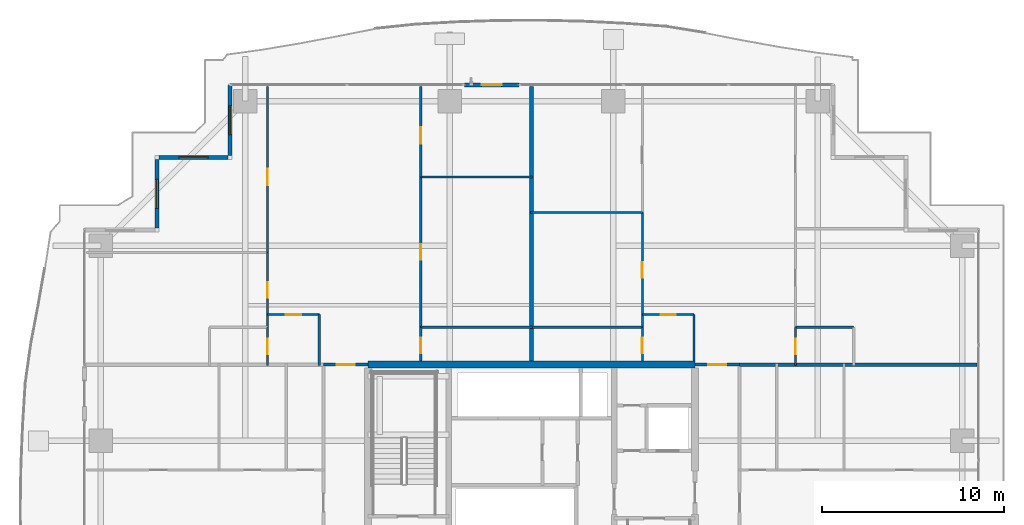
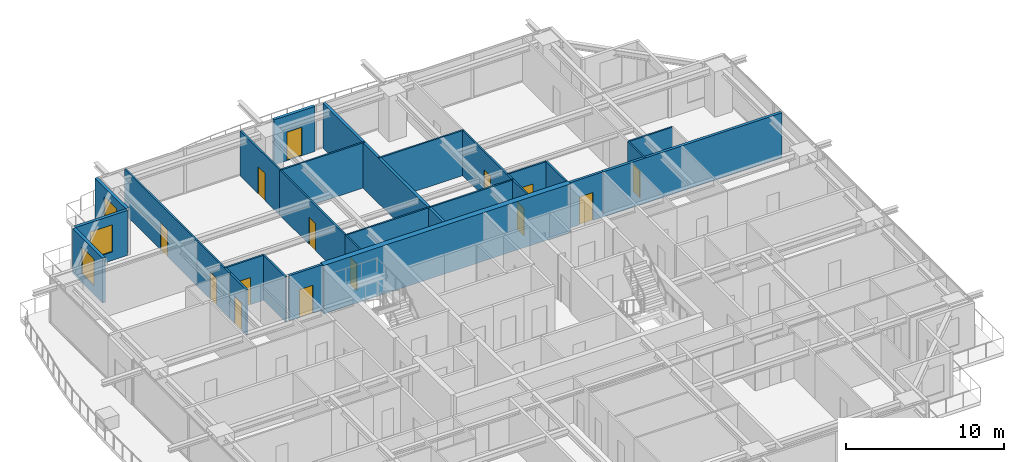
# One storey, part 30 of 39: 27 walls, 14 doors, 3 windows, 17 openings.
"""IFC4 building model written with IfcOpenShell, lengths in metres."""

from ifc_helpers import new_model, si_unit, direction, frame, frame_2d, origin, place, context, subcontext, project, spatial, rectangle, extrude, source, transform, mapped, material, layer, layer_set, type_object, element, fill, save


model = new_model("IFC4")

# Units and contexts
model_context = context("Model", 3, precision=1e-05, world=origin(), true_north=direction((0.0, 1.0)))
body_context = subcontext(model_context, "Body", "Model", "MODEL_VIEW")
ifc_project = project(units=[si_unit("LENGTHUNIT", "METRE"), si_unit("AREAUNIT", "SQUARE_METRE"), si_unit("VOLUMEUNIT", "CUBIC_METRE"), si_unit("PLANEANGLEUNIT", "RADIAN"), si_unit("MASSUNIT", "GRAM", prefix="KILO")], contexts=[model_context])

# Site, building, storey
site_placement = place(None, origin())
site = spatial("IfcSite", under=ifc_project, at=site_placement, CompositionType="ELEMENT")
building_placement = place(site_placement, origin())
building = spatial("IfcBuilding", under=site, at=building_placement, Name="Serunith Strait Residences", CompositionType="ELEMENT")
storey_placement = place(building_placement, frame((0.0, 0.0, 123.89990234375)))
storey = spatial("IfcBuildingStorey", under=building, at=storey_placement, Name="L30", CompositionType="ELEMENT", Elevation=123.89990234375)

# Wall, opening, door
ifc_material_1 = material(Name="Pale-Champagne Aluminium Insulated Panel", Category="aluminium")
ifc_layer_1 = layer(ifc_material_1, 0.219970703125, Name="Pale-Champagne Aluminium Insulated Panel")
ifc_layer_set_1 = layer_set([ifc_layer_1], Name="Pale-Champagne Aluminium Insulated Panel")
wall_type_1 = type_object("IfcWallType", Name="EW-ALUM-220", PredefinedType="ELEMENTEDWALL", material=ifc_layer_set_1)
wall_1_placement = place(storey_placement, frame((31.699951171875, 49.0, 0.0), z_axis=(0.0, 0.0, 1.0), x_axis=(-1.0, 0.0, 0.0)))
wall_1 = element("IfcWall", 1, at=wall_1_placement, inside=storey, type_object=wall_type_1, Name="L30 N Facade Pier Wall", PredefinedType="ELEMENTEDWALL", context=body_context, shape_type="SweptSolid", body=[
    extrude(rectangle(XDim=3.0, YDim=0.219970703125, at=frame_2d((1.5, 0.0))), origin(), (0.0, 0.0, 1.0), 3.47509765625),
])
opening_1_placement = place(wall_1_placement, frame((0.949951171875, 0.0, 0.0)))
opening_1 = element("IfcOpeningElement", 2, at=opening_1_placement, cuts=wall_1, Name="Opening ED-03", PredefinedType="OPENING", context=body_context, shape_type="SweptSolid", body=[
    extrude(rectangle(XDim=1.10009765625, YDim=2.199951171875, at=frame_2d((0.550048828125, 1.10009765625))), frame((0.0, 0.1201171875, 0.0), z_axis=(0.0, -1.0, 0.0), x_axis=(1.0, 0.0, 0.0)), (0.0, 0.0, 1.0), 0.239990234375),
])
ifc_material_2 = material(Name="Thermally-Broken Aluminium Glazed Balcony Door", Category="aluminium")
door_type_1 = type_object("IfcDoorType", Name="ED-BALC-1100", OperationType="NOTDEFINED", PredefinedType="DOOR", material=ifc_material_2)
shared_shape_1 = source(origin(), body_context, "Body", "SweptSolid", [
    extrude(rectangle(XDim=1.10009765625, YDim=2.199951171875, at=frame_2d((0.550048828125, 1.10009765625))), frame((0.0, 0.02490234375, 0.0), z_axis=(0.0, -1.0, 0.0), x_axis=(1.0, 0.0, 0.0)), (0.0, 0.0, 1.0), 0.050048828125),
])
door_1_placement = place(opening_1_placement, origin())
door_1 = element("IfcDoor", 3, at=door_1_placement, inside=storey, type_object=door_type_1, Name="L30 N Vertical-Forest Balcony Door", OperationType="SINGLE_SWING_RIGHT", OverallHeight=2.199951171875, OverallWidth=1.10009765625, PredefinedType="DOOR", context=body_context, shape_type="MappedRepresentation", body=[
    mapped(shared_shape_1, transform((0.0, 0.0, 0.0), scale=1.0)),
])
fill(opening_1, door_1)

# Wall, opening, window
wall_2_placement = place(storey_placement, frame((15.800048828125, 49.0, 0.0), z_axis=(0.0, 0.0, 1.0), x_axis=(0.0, -1.0, 0.0)))
wall_2 = element("IfcWall", 4, at=wall_2_placement, inside=storey, type_object=wall_type_1, Name="L30 Girih Serrated Corner Wall 12", PredefinedType="ELEMENTEDWALL", context=body_context, shape_type="SweptSolid", body=[
    extrude(rectangle(XDim=3.889892578125, YDim=0.219970703125, at=frame_2d((1.94482421875, 0.0))), origin(), (0.0, 0.0, 1.0), 3.47509765625),
])
opening_2_placement = place(wall_2_placement, frame((1.14501953125, 0.0, 0.64990234375)))
opening_2 = element("IfcOpeningElement", 5, at=opening_2_placement, cuts=wall_2, Name="Opening W-02", PredefinedType="OPENING", context=body_context, shape_type="SweptSolid", body=[
    extrude(rectangle(XDim=1.60009765625, YDim=2.10009765625, at=frame_2d((0.800048828125, 1.050048828125))), frame((0.0, 0.1201171875, 0.0), z_axis=(0.0, -1.0, 0.0), x_axis=(1.0, 0.0, 0.0)), (0.0, 0.0, 1.0), 0.239990234375),
])
ifc_material_3 = material(Name="Ceramic-Fritted Operable Aluminium Window Glass", Category="aluminium")
window_type = type_object("IfcWindowType", Name="WIN-C2", PartitioningType="DOUBLE_PANEL_VERTICAL", PredefinedType="WINDOW", material=ifc_material_3)
shared_shape_2 = source(origin(), body_context, "Body", "SweptSolid", [
    extrude(rectangle(XDim=1.60009765625, YDim=2.10009765625, at=frame_2d((0.800048828125, 1.050048828125))), frame((0.0, 0.030029296875, 0.0), z_axis=(0.0, -1.0, 0.0), x_axis=(1.0, 0.0, 0.0)), (0.0, 0.0, 1.0), 0.06005859375),
])
window_1_placement = place(opening_2_placement, origin())
window_1 = element("IfcWindow", 6, at=window_1_placement, inside=storey, type_object=window_type, Name="L30 Corner Operable Fritted Window 12", OverallHeight=2.10009765625, OverallWidth=1.60009765625, PartitioningType="SINGLE_PANEL", PredefinedType="WINDOW", context=body_context, shape_type="MappedRepresentation", body=[
    mapped(shared_shape_2, transform((0.0, 0.0, 0.0), scale=1.0)),
])
fill(opening_2, window_1)

wall_3_placement = place(storey_placement, frame((15.68994140625, 45.0, 0.0), z_axis=(0.0, 0.0, 1.0), x_axis=(-1.0, 0.0, 0.0)))
wall_3 = element("IfcWall", 7, at=wall_3_placement, inside=storey, type_object=wall_type_1, Name="L30 Girih Serrated Corner Wall 13", PredefinedType="ELEMENTEDWALL", context=body_context, shape_type="SweptSolid", body=[
    extrude(rectangle(XDim=3.780029296875, YDim=0.219970703125, at=frame_2d((1.89013671875, 0.0))), origin(), (0.0, 0.0, 1.0), 3.47509765625),
])
opening_3_placement = place(wall_3_placement, frame((1.090087890625, 0.0, 0.64990234375)))
opening_3 = element("IfcOpeningElement", 8, at=opening_3_placement, cuts=wall_3, Name="Opening W-02", PredefinedType="OPENING", context=body_context, shape_type="SweptSolid", body=[
    extrude(rectangle(XDim=1.60009765625, YDim=2.10009765625, at=frame_2d((0.800048828125, 1.050048828125))), frame((0.0, 0.1201171875, 0.0), z_axis=(0.0, -1.0, 0.0), x_axis=(1.0, 0.0, 0.0)), (0.0, 0.0, 1.0), 0.239990234375),
])
window_2_placement = place(opening_3_placement, origin())
window_2 = element("IfcWindow", 9, at=window_2_placement, inside=storey, type_object=window_type, Name="L30 Corner Operable Fritted Window 13", OverallHeight=2.10009765625, OverallWidth=1.60009765625, PartitioningType="SINGLE_PANEL", PredefinedType="WINDOW", context=body_context, shape_type="MappedRepresentation", body=[
    mapped(shared_shape_2, transform((0.0, 0.0, 0.0), scale=1.0)),
])
fill(opening_3, window_2)

wall_4_placement = place(storey_placement, frame((11.800048828125, 44.889892578125, 0.0), z_axis=(0.0, 0.0, 1.0), x_axis=(0.0, -1.0, 0.0)))
wall_4 = element("IfcWall", 10, at=wall_4_placement, inside=storey, type_object=wall_type_1, Name="L30 Girih Serrated Corner Wall 14", PredefinedType="ELEMENTEDWALL", context=body_context, shape_type="SweptSolid", body=[
    extrude(rectangle(XDim=3.77978515625, YDim=0.219970703125, at=frame_2d((1.889892578125, 0.0))), origin(), (0.0, 0.0, 1.0), 3.47509765625),
])
opening_4_placement = place(wall_4_placement, frame((1.090087890625, 0.0, 0.64990234375)))
opening_4 = element("IfcOpeningElement", 11, at=opening_4_placement, cuts=wall_4, Name="Opening W-02", PredefinedType="OPENING", context=body_context, shape_type="SweptSolid", body=[
    extrude(rectangle(XDim=1.60009765625, YDim=2.10009765625, at=frame_2d((0.800048828125, 1.050048828125))), frame((0.0, 0.1201171875, 0.0), z_axis=(0.0, -1.0, 0.0), x_axis=(1.0, 0.0, 0.0)), (0.0, 0.0, 1.0), 0.239990234375),
])
window_3_placement = place(opening_4_placement, origin())
window_3 = element("IfcWindow", 12, at=window_3_placement, inside=storey, type_object=window_type, Name="L30 Corner Operable Fritted Window 14", OverallHeight=2.10009765625, OverallWidth=1.60009765625, PartitioningType="SINGLE_PANEL", PredefinedType="WINDOW", context=body_context, shape_type="MappedRepresentation", body=[
    mapped(shared_shape_2, transform((0.0, 0.0, 0.0), scale=1.0)),
])
fill(opening_4, window_3)

# Wall, opening, door
ifc_material_4 = material(Name="Fire-rated acoustic gypsum partition")
ifc_layer_2 = layer(ifc_material_4, 0.179931640625, Name="Fire-rated acoustic gypsum partition")
ifc_layer_set_2 = layer_set([ifc_layer_2], Name="Fire-rated acoustic gypsum partition")
wall_type_2 = type_object("IfcWallType", Name="IW-CORR-180", PredefinedType="PARTITIONING", material=ifc_layer_set_2)
wall_5_placement = place(storey_placement, frame((20.951904296875, 33.60009765625, 0.0), z_axis=(0.0, 0.0, 1.0), x_axis=(1.0, 0.0, 0.0)))
wall_5 = element("IfcWall", 13, at=wall_5_placement, inside=storey, type_object=wall_type_2, Name="L30 Partition Wall 030", PredefinedType="PARTITIONING", context=body_context, shape_type="SweptSolid", body=[
    extrude(rectangle(XDim=2.446044921875, YDim=0.179931640625, at=frame_2d((1.22314453125, 0.0))), origin(), (0.0, 0.0, 1.0), 3.489990234375),
])
opening_5_placement = place(wall_5_placement, frame((0.722900390625, 0.0, 0.0)))
opening_5 = element("IfcOpeningElement", 14, at=opening_5_placement, cuts=wall_5, Name="Opening D-APT1000", PredefinedType="OPENING", context=body_context, shape_type="SweptSolid", body=[
    extrude(rectangle(XDim=1.0, YDim=2.14990234375, at=frame_2d((0.5, 1.074951171875))), frame((0.0, 0.10009765625, 0.0), z_axis=(0.0, -1.0, 0.0), x_axis=(1.0, 0.0, 0.0)), (0.0, 0.0, 1.0), 0.199951171875),
])
ifc_material_5 = material(Name="Solid timber engineered fire door", Category="wood")
door_type_2 = type_object("IfcDoorType", Name="ID-APT-1000", OperationType="NOTDEFINED", PredefinedType="DOOR", material=ifc_material_5)
shared_shape_3 = source(origin(), body_context, "Body", "SweptSolid", [
    extrude(rectangle(XDim=1.0, YDim=2.14990234375, at=frame_2d((0.5, 1.074951171875))), frame((0.0, 0.02490234375, 0.0), z_axis=(0.0, -1.0, 0.0), x_axis=(1.0, 0.0, 0.0)), (0.0, 0.0, 1.0), 0.050048828125),
])
door_2_placement = place(opening_5_placement, origin())
door_2 = element("IfcDoor", 15, at=door_2_placement, inside=storey, type_object=door_type_2, Name="L30 Unit 04 Entrance Door", OperationType="SINGLE_SWING_LEFT", OverallHeight=2.14990234375, OverallWidth=1.0, PredefinedType="DOOR", context=body_context, shape_type="MappedRepresentation", body=[
    mapped(shared_shape_3, transform((0.0, 0.0, 0.0), scale=1.0)),
])
fill(opening_5, door_2)

wall_6_placement = place(storey_placement, frame((41.402099609375, 33.60009765625, 0.0), z_axis=(0.0, 0.0, 1.0), x_axis=(1.0, 0.0, 0.0)))
wall_6 = element("IfcWall", 16, at=wall_6_placement, inside=storey, type_object=wall_type_2, Name="L30 Partition Wall 031", PredefinedType="PARTITIONING", context=body_context, shape_type="SweptSolid", body=[
    extrude(rectangle(XDim=2.44580078125, YDim=0.179931640625, at=frame_2d((1.222900390625, 0.0))), origin(), (0.0, 0.0, 1.0), 3.489990234375),
])
opening_6_placement = place(wall_6_placement, frame((0.722900390625, 0.0, 0.0)))
opening_6 = element("IfcOpeningElement", 17, at=opening_6_placement, cuts=wall_6, Name="Opening D-APT1000", PredefinedType="OPENING", context=body_context, shape_type="SweptSolid", body=[
    extrude(rectangle(XDim=1.0, YDim=2.14990234375, at=frame_2d((0.5, 1.074951171875))), frame((0.0, 0.10009765625, 0.0), z_axis=(0.0, -1.0, 0.0), x_axis=(1.0, 0.0, 0.0)), (0.0, 0.0, 1.0), 0.199951171875),
])
door_3_placement = place(opening_6_placement, origin())
door_3 = element("IfcDoor", 18, at=door_3_placement, inside=storey, type_object=door_type_2, Name="L30 Unit 05 Entrance Door", OperationType="SINGLE_SWING_RIGHT", OverallHeight=2.14990234375, OverallWidth=1.0, PredefinedType="DOOR", context=body_context, shape_type="MappedRepresentation", body=[
    mapped(shared_shape_3, transform((0.0, 0.0, 0.0), scale=1.0)),
])
fill(opening_6, door_3)

ifc_material_6 = material(Name="Lightweight steel-stud gypsum partition", Category="steel")
ifc_layer_3 = layer(ifc_material_6, 0.1201171875, Name="Lightweight steel-stud gypsum partition")
ifc_layer_set_3 = layer_set([ifc_layer_3], Name="Lightweight steel-stud gypsum partition")
wall_type_3 = type_object("IfcWallType", Name="IW-PART-120", PredefinedType="PARTITIONING", material=ifc_layer_set_3)
wall_7_placement = place(storey_placement, frame((17.8701171875, 36.35009765625, 0.0), z_axis=(0.0, 0.0, 1.0), x_axis=(1.0, 0.0, 0.0)))
wall_7 = element("IfcWall", 19, at=wall_7_placement, inside=storey, type_object=wall_type_3, Name="L30 Partition Wall 069", PredefinedType="PARTITIONING", context=body_context, shape_type="SweptSolid", body=[
    extrude(rectangle(XDim=2.849853515625, YDim=0.1201171875, at=frame_2d((1.4248046875, 0.0))), origin(), (0.0, 0.0, 1.0), 3.489990234375),
])
opening_7_placement = place(wall_7_placement, frame((1.0, 0.0, 0.0)))
opening_7 = element("IfcOpeningElement", 20, at=opening_7_placement, cuts=wall_7, Name="Opening D-RM850", PredefinedType="OPENING", context=body_context, shape_type="SweptSolid", body=[
    extrude(rectangle(XDim=0.85009765625, YDim=2.10009765625, at=frame_2d((0.425048828125, 1.050048828125))), frame((0.0, 0.070068359375, 0.0), z_axis=(0.0, -1.0, 0.0), x_axis=(1.0, 0.0, 0.0)), (0.0, 0.0, 1.0), 0.14013671875),
])
ifc_material_7 = material(Name="Engineered timber flush study and kitchen door", Category="wood")
door_type_3 = type_object("IfcDoorType", Name="ID-ROOM-850", OperationType="NOTDEFINED", PredefinedType="DOOR", material=ifc_material_7)
shared_shape_4 = source(origin(), body_context, "Body", "SweptSolid", [
    extrude(rectangle(XDim=0.85009765625, YDim=2.10009765625, at=frame_2d((0.425048828125, 1.050048828125))), frame((0.0, 0.02490234375, 0.0), z_axis=(0.0, -1.0, 0.0), x_axis=(1.0, 0.0, 0.0)), (0.0, 0.0, 1.0), 0.050048828125),
])
door_4_placement = place(opening_7_placement, origin())
door_4 = element("IfcDoor", 21, at=door_4_placement, inside=storey, type_object=door_type_3, Name="L30 Kitchen 3004 Door", OperationType="SINGLE_SWING_LEFT", OverallHeight=2.10009765625, OverallWidth=0.85009765625, PredefinedType="DOOR", context=body_context, shape_type="MappedRepresentation", body=[
    mapped(shared_shape_4, transform((0.0, 0.0, 0.0), scale=1.0)),
])
fill(opening_7, door_4)

# Wall
wall_8_placement = place(storey_placement, frame((20.719970703125, 36.35009765625, 0.0), z_axis=(0.0, 0.0, 1.0), x_axis=(0.0, -1.0, 0.0)))
element("IfcWall", 22, at=wall_8_placement, inside=storey, type_object=wall_type_3, Name="L30 Partition Wall 070", PredefinedType="PARTITIONING", context=body_context, shape_type="SweptSolid", body=[
    extrude(rectangle(XDim=2.81005859375, YDim=0.1201171875, at=frame_2d((1.405029296875, 0.0))), origin(), (0.0, 0.0, 1.0), 3.489990234375),
])

# Wall, opening, door
wall_9_placement = place(storey_placement, frame((17.8701171875, 48.905029296875, 0.0), z_axis=(0.0, 0.0, 1.0), x_axis=(0.0, -1.0, 0.0)))
wall_9 = element("IfcWall", 23, at=wall_9_placement, inside=storey, type_object=wall_type_3, Name="L30 Partition Wall 071", PredefinedType="PARTITIONING", context=body_context, shape_type="SweptSolid", body=[
    extrude(rectangle(XDim=9.14013671875, YDim=0.1201171875, at=frame_2d((4.570068359375, 0.0))), origin(), (0.0, 0.0, 1.0), 3.489990234375),
])
opening_8_placement = place(wall_9_placement, frame((4.531982421875, 0.0, 0.0)))
opening_8 = element("IfcOpeningElement", 24, at=opening_8_placement, cuts=wall_9, Name="Opening D-RM900", PredefinedType="OPENING", context=body_context, shape_type="SweptSolid", body=[
    extrude(rectangle(XDim=0.89990234375, YDim=2.10009765625, at=frame_2d((0.449951171875, 1.050048828125))), frame((0.0, 0.070068359375, 0.0), z_axis=(0.0, -1.0, 0.0), x_axis=(1.0, 0.0, 0.0)), (0.0, 0.0, 1.0), 0.14013671875),
])
ifc_material_8 = material(Name="Engineered timber flush bedroom door", Category="wood")
door_type_4 = type_object("IfcDoorType", Name="ID-ROOM-900", OperationType="NOTDEFINED", PredefinedType="DOOR", material=ifc_material_8)
shared_shape_5 = source(origin(), body_context, "Body", "SweptSolid", [
    extrude(rectangle(XDim=0.89990234375, YDim=2.10009765625, at=frame_2d((0.449951171875, 1.050048828125))), frame((0.0, 0.02490234375, 0.0), z_axis=(0.0, -1.0, 0.0), x_axis=(1.0, 0.0, 0.0)), (0.0, 0.0, 1.0), 0.050048828125),
])
door_5_placement = place(opening_8_placement, origin())
door_5 = element("IfcDoor", 25, at=door_5_placement, inside=storey, type_object=door_type_4, Name="L30 Master Bedroom 1 3004 Door", OperationType="SINGLE_SWING_RIGHT", OverallHeight=2.10009765625, OverallWidth=0.89990234375, PredefinedType="DOOR", context=body_context, shape_type="MappedRepresentation", body=[
    mapped(shared_shape_5, transform((0.0, 0.0, 0.0), scale=1.0)),
])
fill(opening_8, door_5)

wall_10_placement = place(storey_placement, frame((17.8701171875, 39.762939453125, 0.0), z_axis=(0.0, 0.0, 1.0), x_axis=(0.0, -1.0, 0.0)))
wall_10 = element("IfcWall", 26, at=wall_10_placement, inside=storey, type_object=wall_type_3, Name="L30 Partition Wall 075", PredefinedType="PARTITIONING", context=body_context, shape_type="SweptSolid", body=[
    extrude(rectangle(XDim=4.113037109375, YDim=0.1201171875, at=frame_2d((2.056640625, 0.0))), origin(), (0.0, 0.0, 1.0), 3.489990234375),
])
opening_9_placement = place(wall_10_placement, frame((1.631103515625, 0.0, 0.0)))
opening_9 = element("IfcOpeningElement", 27, at=opening_9_placement, cuts=wall_10, Name="Opening D-RM850", PredefinedType="OPENING", context=body_context, shape_type="SweptSolid", body=[
    extrude(rectangle(XDim=0.85009765625, YDim=2.10009765625, at=frame_2d((0.425048828125, 1.050048828125))), frame((0.0, 0.070068359375, 0.0), z_axis=(0.0, -1.0, 0.0), x_axis=(1.0, 0.0, 0.0)), (0.0, 0.0, 1.0), 0.14013671875),
])
door_6_placement = place(opening_9_placement, origin())
door_6 = element("IfcDoor", 28, at=door_6_placement, inside=storey, type_object=door_type_3, Name="L30 Walk-in Wardrobe 3004 Door", OperationType="SINGLE_SWING_LEFT", OverallHeight=2.10009765625, OverallWidth=0.85009765625, PredefinedType="DOOR", context=body_context, shape_type="MappedRepresentation", body=[
    mapped(shared_shape_4, transform((0.0, 0.0, 0.0), scale=1.0)),
])
fill(opening_9, door_6)

wall_11_placement = place(storey_placement, frame((17.8701171875, 35.64794921875, 0.0), z_axis=(0.0, 0.0, 1.0), x_axis=(0.0, -1.0, 0.0)))
wall_11 = element("IfcWall", 29, at=wall_11_placement, inside=storey, type_object=wall_type_3, Name="L30 Partition Wall 076", PredefinedType="PARTITIONING", context=body_context, shape_type="SweptSolid", body=[
    extrude(rectangle(XDim=2.10791015625, YDim=0.1201171875, at=frame_2d((1.053955078125, 0.0))), origin(), (0.0, 0.0, 1.0), 3.489990234375),
])
opening_10_placement = place(wall_11_placement, frame((0.62890625, 0.0, 0.0)))
opening_10 = element("IfcOpeningElement", 30, at=opening_10_placement, cuts=wall_11, Name="Opening D-BTH850", PredefinedType="OPENING", context=body_context, shape_type="SweptSolid", body=[
    extrude(rectangle(XDim=0.85009765625, YDim=2.10009765625, at=frame_2d((0.425048828125, 1.050048828125))), frame((0.0, 0.070068359375, 0.0), z_axis=(0.0, -1.0, 0.0), x_axis=(1.0, 0.0, 0.0)), (0.0, 0.0, 1.0), 0.14013671875),
])
ifc_material_9 = material(Name="Moisture-resistant timber bathroom door", Category="wood")
door_type_5 = type_object("IfcDoorType", Name="ID-BATH-850", OperationType="NOTDEFINED", PredefinedType="DOOR", material=ifc_material_9)
door_7_placement = place(opening_10_placement, origin())
door_7 = element("IfcDoor", 31, at=door_7_placement, inside=storey, type_object=door_type_5, Name="L30 Bathroom 3004 Door", OperationType="SINGLE_SWING_RIGHT", OverallHeight=2.10009765625, OverallWidth=0.85009765625, PredefinedType="DOOR", context=body_context, shape_type="MappedRepresentation", body=[
    mapped(shared_shape_4, transform((0.0, 0.0, 0.0), scale=1.0)),
])
fill(opening_10, door_7)

wall_12_placement = place(storey_placement, frame((26.300048828125, 48.905029296875, 0.0), z_axis=(0.0, 0.0, 1.0), x_axis=(0.0, -1.0, 0.0)))
wall_12 = element("IfcWall", 32, at=wall_12_placement, inside=storey, type_object=wall_type_3, Name="L30 Partition Wall 077", PredefinedType="PARTITIONING", context=body_context, shape_type="SweptSolid", body=[
    extrude(rectangle(XDim=4.97607421875, YDim=0.1201171875, at=frame_2d((2.488037109375, 0.0))), origin(), (0.0, 0.0, 1.0), 3.489990234375),
])
opening_11_placement = place(wall_12_placement, frame((2.241943359375, 0.0, 0.0)))
opening_11 = element("IfcOpeningElement", 33, at=opening_11_placement, cuts=wall_12, Name="Opening D-RM900", PredefinedType="OPENING", context=body_context, shape_type="SweptSolid", body=[
    extrude(rectangle(XDim=0.89990234375, YDim=2.10009765625, at=frame_2d((0.449951171875, 1.050048828125))), frame((0.0, 0.070068359375, 0.0), z_axis=(0.0, -1.0, 0.0), x_axis=(1.0, 0.0, 0.0)), (0.0, 0.0, 1.0), 0.14013671875),
])
door_8_placement = place(opening_11_placement, origin())
door_8 = element("IfcDoor", 34, at=door_8_placement, inside=storey, type_object=door_type_4, Name="L30 Bedroom 2 3004 Door", OperationType="SINGLE_SWING_LEFT", OverallHeight=2.10009765625, OverallWidth=0.89990234375, PredefinedType="DOOR", context=body_context, shape_type="MappedRepresentation", body=[
    mapped(shared_shape_5, transform((0.0, 0.0, 0.0), scale=1.0)),
])
fill(opening_11, door_8)

# Walls
for number, where, z_axis, x_axis, name in (
    (35, (26.300048828125, 43.928955078125, 0.0), (0.0, 0.0, 1.0), (1.0, 0.0, 0.0), "L30 Partition Wall 078"),
    (36, (26.300048828125, 35.64990234375, 0.0), (0.0, 0.0, 1.0), (1.0, 0.0, 0.0), "L30 Partition Wall 079"),
):
    element("IfcWall", number, at=place(storey_placement, frame(where, z_axis=z_axis, x_axis=x_axis)), inside=storey, type_object=wall_type_3, Name=name, PredefinedType="PARTITIONING", context=body_context, shape_type="SweptSolid", body=[
        extrude(rectangle(XDim=6.159912109375, YDim=0.1201171875, at=frame_2d((3.080078125, 0.0))), origin(), (0.0, 0.0, 1.0), 3.489990234375),
    ])

# Wall, opening, door
wall_13_placement = place(storey_placement, frame((26.300048828125, 43.927001953125, 0.0), z_axis=(0.0, 0.0, 1.0), x_axis=(0.0, -1.0, 0.0)))
wall_13 = element("IfcWall", 37, at=wall_13_placement, inside=storey, type_object=wall_type_3, Name="L30 Partition Wall 080", PredefinedType="PARTITIONING", context=body_context, shape_type="SweptSolid", body=[
    extrude(rectangle(XDim=8.277099609375, YDim=0.1201171875, at=frame_2d((4.138671875, 0.0))), origin(), (0.0, 0.0, 1.0), 3.489990234375),
])
opening_12_placement = place(wall_13_placement, frame((3.714111328125, 0.0, 0.0)))
opening_12 = element("IfcOpeningElement", 38, at=opening_12_placement, cuts=wall_13, Name="Opening D-RM850", PredefinedType="OPENING", context=body_context, shape_type="SweptSolid", body=[
    extrude(rectangle(XDim=0.85009765625, YDim=2.10009765625, at=frame_2d((0.425048828125, 1.050048828125))), frame((0.0, 0.070068359375, 0.0), z_axis=(0.0, -1.0, 0.0), x_axis=(1.0, 0.0, 0.0)), (0.0, 0.0, 1.0), 0.14013671875),
])
door_9_placement = place(opening_12_placement, origin())
door_9 = element("IfcDoor", 39, at=door_9_placement, inside=storey, type_object=door_type_3, Name="L30 Walk-in Wardrobe 3004 Door", OperationType="SINGLE_SWING_RIGHT", OverallHeight=2.10009765625, OverallWidth=0.85009765625, PredefinedType="DOOR", context=body_context, shape_type="MappedRepresentation", body=[
    mapped(shared_shape_4, transform((0.0, 0.0, 0.0), scale=1.0)),
])
fill(opening_12, door_9)

wall_14_placement = place(storey_placement, frame((26.300048828125, 35.64794921875, 0.0), z_axis=(0.0, 0.0, 1.0), x_axis=(0.0, -1.0, 0.0)))
wall_14 = element("IfcWall", 40, at=wall_14_placement, inside=storey, type_object=wall_type_3, Name="L30 Partition Wall 081", PredefinedType="PARTITIONING", context=body_context, shape_type="SweptSolid", body=[
    extrude(rectangle(XDim=1.847900390625, YDim=0.1201171875, at=frame_2d((0.923828125, 0.0))), origin(), (0.0, 0.0, 1.0), 3.489990234375),
])
opening_13_placement = place(wall_14_placement, frame((0.569091796875, 0.0, 0.0)))
opening_13 = element("IfcOpeningElement", 41, at=opening_13_placement, cuts=wall_14, Name="Opening D-BTH850", PredefinedType="OPENING", context=body_context, shape_type="SweptSolid", body=[
    extrude(rectangle(XDim=0.85009765625, YDim=2.10009765625, at=frame_2d((0.425048828125, 1.050048828125))), frame((0.0, 0.070068359375, 0.0), z_axis=(0.0, -1.0, 0.0), x_axis=(1.0, 0.0, 0.0)), (0.0, 0.0, 1.0), 0.14013671875),
])
door_10_placement = place(opening_13_placement, origin())
door_10 = element("IfcDoor", 42, at=door_10_placement, inside=storey, type_object=door_type_5, Name="L30 Bathroom 3004 Door", OperationType="SINGLE_SWING_LEFT", OverallHeight=2.10009765625, OverallWidth=0.85009765625, PredefinedType="DOOR", context=body_context, shape_type="MappedRepresentation", body=[
    mapped(shared_shape_4, transform((0.0, 0.0, 0.0), scale=1.0)),
])
fill(opening_13, door_10)

wall_15_placement = place(storey_placement, frame((38.5, 36.35009765625, 0.0), z_axis=(0.0, 0.0, 1.0), x_axis=(1.0, 0.0, 0.0)))
wall_15 = element("IfcWall", 43, at=wall_15_placement, inside=storey, type_object=wall_type_3, Name="L30 Partition Wall 082", PredefinedType="PARTITIONING", context=body_context, shape_type="SweptSolid", body=[
    extrude(rectangle(XDim=2.85009765625, YDim=0.1201171875, at=frame_2d((1.425048828125, 0.0))), origin(), (0.0, 0.0, 1.0), 3.489990234375),
])
opening_14_placement = place(wall_15_placement, frame((1.0, 0.0, 0.0)))
opening_14 = element("IfcOpeningElement", 44, at=opening_14_placement, cuts=wall_15, Name="Opening D-RM850", PredefinedType="OPENING", context=body_context, shape_type="SweptSolid", body=[
    extrude(rectangle(XDim=0.85009765625, YDim=2.10009765625, at=frame_2d((0.425048828125, 1.050048828125))), frame((0.0, 0.070068359375, 0.0), z_axis=(0.0, -1.0, 0.0), x_axis=(1.0, 0.0, 0.0)), (0.0, 0.0, 1.0), 0.14013671875),
])
door_11_placement = place(opening_14_placement, origin())
door_11 = element("IfcDoor", 45, at=door_11_placement, inside=storey, type_object=door_type_3, Name="L30 Kitchen 3005 Door", OperationType="SINGLE_SWING_RIGHT", OverallHeight=2.10009765625, OverallWidth=0.85009765625, PredefinedType="DOOR", context=body_context, shape_type="MappedRepresentation", body=[
    mapped(shared_shape_4, transform((0.0, 0.0, 0.0), scale=1.0)),
])
fill(opening_14, door_11)

# Walls
wall_16_placement = place(storey_placement, frame((41.35009765625, 36.35009765625, 0.0), z_axis=(0.0, 0.0, 1.0), x_axis=(0.0, -1.0, 0.0)))
element("IfcWall", 46, at=wall_16_placement, inside=storey, type_object=wall_type_3, Name="L30 Partition Wall 083", PredefinedType="PARTITIONING", context=body_context, shape_type="SweptSolid", body=[
    extrude(rectangle(XDim=2.550048828125, YDim=0.1201171875, at=frame_2d((1.27490234375, 0.0))), origin(), (0.0, 0.0, 1.0), 3.489990234375),
])
wall_17_placement = place(storey_placement, frame((32.340087890625, 41.965087890625, 0.0), z_axis=(0.0, 0.0, 1.0), x_axis=(1.0, 0.0, 0.0)))
element("IfcWall", 47, at=wall_17_placement, inside=storey, type_object=wall_type_3, Name="L30 Partition Wall 085", PredefinedType="PARTITIONING", context=body_context, shape_type="SweptSolid", body=[
    extrude(rectangle(XDim=6.159912109375, YDim=0.1201171875, at=frame_2d((3.080078125, 0.0))), origin(), (0.0, 0.0, 1.0), 3.489990234375),
])
wall_18_placement = place(storey_placement, frame((32.4619140625, 35.64990234375, 0.0), z_axis=(0.0, 0.0, 1.0), x_axis=(1.0, 0.0, 0.0)))
element("IfcWall", 48, at=wall_18_placement, inside=storey, type_object=wall_type_3, Name="L30 Partition Wall 086", PredefinedType="PARTITIONING", context=body_context, shape_type="SweptSolid", body=[
    extrude(rectangle(XDim=6.0380859375, YDim=0.1201171875, at=frame_2d((3.01904296875, 0.0))), origin(), (0.0, 0.0, 1.0), 3.489990234375),
])

# Wall, opening, door
wall_19_placement = place(storey_placement, frame((38.5, 41.962890625, 0.0), z_axis=(0.0, 0.0, 1.0), x_axis=(0.0, -1.0, 0.0)))
wall_19 = element("IfcWall", 49, at=wall_19_placement, inside=storey, type_object=wall_type_3, Name="L30 Partition Wall 087", PredefinedType="PARTITIONING", context=body_context, shape_type="SweptSolid", body=[
    extrude(rectangle(XDim=6.31298828125, YDim=0.1201171875, at=frame_2d((3.156494140625, 0.0))), origin(), (0.0, 0.0, 1.0), 3.489990234375),
])
opening_15_placement = place(wall_19_placement, frame((2.73193359375, 0.0, 0.0)))
opening_15 = element("IfcOpeningElement", 50, at=opening_15_placement, cuts=wall_19, Name="Opening D-RM850", PredefinedType="OPENING", context=body_context, shape_type="SweptSolid", body=[
    extrude(rectangle(XDim=0.85009765625, YDim=2.10009765625, at=frame_2d((0.425048828125, 1.050048828125))), frame((0.0, 0.070068359375, 0.0), z_axis=(0.0, -1.0, 0.0), x_axis=(1.0, 0.0, 0.0)), (0.0, 0.0, 1.0), 0.14013671875),
])
door_12_placement = place(opening_15_placement, origin())
door_12 = element("IfcDoor", 51, at=door_12_placement, inside=storey, type_object=door_type_3, Name="L30 Walk-in Wardrobe 3005 Door", OperationType="SINGLE_SWING_RIGHT", OverallHeight=2.10009765625, OverallWidth=0.85009765625, PredefinedType="DOOR", context=body_context, shape_type="MappedRepresentation", body=[
    mapped(shared_shape_4, transform((0.0, 0.0, 0.0), scale=1.0)),
])
fill(opening_15, door_12)

wall_20_placement = place(storey_placement, frame((38.5, 35.64794921875, 0.0), z_axis=(0.0, 0.0, 1.0), x_axis=(0.0, -1.0, 0.0)))
wall_20 = element("IfcWall", 52, at=wall_20_placement, inside=storey, type_object=wall_type_3, Name="L30 Partition Wall 088", PredefinedType="PARTITIONING", context=body_context, shape_type="SweptSolid", body=[
    extrude(rectangle(XDim=1.847900390625, YDim=0.1201171875, at=frame_2d((0.923828125, 0.0))), origin(), (0.0, 0.0, 1.0), 3.489990234375),
])
opening_16_placement = place(wall_20_placement, frame((0.569091796875, 0.0, 0.0)))
opening_16 = element("IfcOpeningElement", 53, at=opening_16_placement, cuts=wall_20, Name="Opening D-BTH850", PredefinedType="OPENING", context=body_context, shape_type="SweptSolid", body=[
    extrude(rectangle(XDim=0.85009765625, YDim=2.10009765625, at=frame_2d((0.425048828125, 1.050048828125))), frame((0.0, 0.070068359375, 0.0), z_axis=(0.0, -1.0, 0.0), x_axis=(1.0, 0.0, 0.0)), (0.0, 0.0, 1.0), 0.14013671875),
])
door_13_placement = place(opening_16_placement, origin())
door_13 = element("IfcDoor", 54, at=door_13_placement, inside=storey, type_object=door_type_5, Name="L30 Bathroom 3005 Door", OperationType="SINGLE_SWING_LEFT", OverallHeight=2.10009765625, OverallWidth=0.85009765625, PredefinedType="DOOR", context=body_context, shape_type="MappedRepresentation", body=[
    mapped(shared_shape_4, transform((0.0, 0.0, 0.0), scale=1.0)),
])
fill(opening_16, door_13)

# Wall
wall_21_placement = place(storey_placement, frame((46.929931640625, 35.64990234375, 0.0), z_axis=(0.0, 0.0, 1.0), x_axis=(1.0, 0.0, 0.0)))
element("IfcWall", 55, at=wall_21_placement, inside=storey, type_object=wall_type_3, Name="L30 Partition Wall 091", PredefinedType="PARTITIONING", context=body_context, shape_type="SweptSolid", body=[
    extrude(rectangle(XDim=3.199951171875, YDim=0.1201171875, at=frame_2d((1.60009765625, 0.0))), origin(), (0.0, 0.0, 1.0), 3.489990234375),
])

# Wall, opening, door
wall_22_placement = place(storey_placement, frame((46.929931640625, 35.64794921875, 0.0), z_axis=(0.0, 0.0, 1.0), x_axis=(0.0, -1.0, 0.0)))
wall_22 = element("IfcWall", 56, at=wall_22_placement, inside=storey, type_object=wall_type_3, Name="L30 Partition Wall 094", PredefinedType="PARTITIONING", context=body_context, shape_type="SweptSolid", body=[
    extrude(rectangle(XDim=2.10791015625, YDim=0.1201171875, at=frame_2d((1.053955078125, 0.0))), origin(), (0.0, 0.0, 1.0), 3.489990234375),
])
opening_17_placement = place(wall_22_placement, frame((0.62890625, 0.0, 0.0)))
opening_17 = element("IfcOpeningElement", 57, at=opening_17_placement, cuts=wall_22, Name="Opening D-BTH850", PredefinedType="OPENING", context=body_context, shape_type="SweptSolid", body=[
    extrude(rectangle(XDim=0.85009765625, YDim=2.10009765625, at=frame_2d((0.425048828125, 1.050048828125))), frame((0.0, 0.070068359375, 0.0), z_axis=(0.0, -1.0, 0.0), x_axis=(1.0, 0.0, 0.0)), (0.0, 0.0, 1.0), 0.14013671875),
])
door_14_placement = place(opening_17_placement, origin())
door_14 = element("IfcDoor", 58, at=door_14_placement, inside=storey, type_object=door_type_5, Name="L30 Bathroom 3005 Door", OperationType="SINGLE_SWING_RIGHT", OverallHeight=2.10009765625, OverallWidth=0.85009765625, PredefinedType="DOOR", context=body_context, shape_type="MappedRepresentation", body=[
    mapped(shared_shape_4, transform((0.0, 0.0, 0.0), scale=1.0)),
])
fill(opening_17, door_14)

# Walls
ifc_material_10 = material(Name="Twin-stud acoustic gypsum board partition")
ifc_layer_4 = layer(ifc_material_10, 0.199951171875, Name="Twin-stud acoustic gypsum board partition")
ifc_layer_set_4 = layer_set([ifc_layer_4], Name="Twin-stud acoustic gypsum board partition")
wall_type_4 = type_object("IfcWallType", Name="IW-PARTY-200", PredefinedType="PARTITIONING", material=ifc_layer_set_4)
wall_23_placement = place(storey_placement, frame((32.39990234375, 33.800048828125, 0.0), z_axis=(0.0, 0.0, 1.0), x_axis=(0.0, 1.0, 0.0)))
element("IfcWall", 59, at=wall_23_placement, inside=storey, type_object=wall_type_4, Name="L30 Partition Wall 020", PredefinedType="PARTITIONING", context=body_context, shape_type="SweptSolid", body=[
    extrude(rectangle(XDim=15.117919921875, YDim=0.199951171875, at=frame_2d((7.55908203125, 0.0))), origin(), (0.0, 0.0, 1.0), 3.489990234375),
])
wall_24_placement = place(storey_placement, frame((43.85009765625, 33.60009765625, 0.0), z_axis=(0.0, 0.0, 1.0), x_axis=(1.0, 0.0, 0.0)))
element("IfcWall", 60, at=wall_24_placement, inside=storey, type_object=wall_type_4, Name="L30 Partition Wall 026", PredefinedType="PARTITIONING", context=body_context, shape_type="SweptSolid", body=[
    extrude(rectangle(XDim=13.06787109375, YDim=0.199951171875, at=frame_2d((6.533935546875, 0.0))), origin(), (0.0, 0.0, 1.0), 3.489990234375),
])
ifc_material_11 = material(Name="Concrete C70/85", Category="concrete")
ifc_layer_5 = layer(ifc_material_11, 0.39990234375, Name="Concrete C70/85")
ifc_layer_set_5 = layer_set([ifc_layer_5], Name="Concrete C70/85")
wall_type_5 = type_object("IfcWallType", Name="SW-400-C70", PredefinedType="SHEAR", material=ifc_layer_set_5)
wall_25_placement = place(storey_placement, frame((41.39990234375, 33.60009765625, -0.260009765625), z_axis=(0.0, 0.0, 1.0), x_axis=(-1.0, 0.0, 0.0)))
element("IfcWall", 61, at=wall_25_placement, inside=storey, type_object=wall_type_5, Name="L30 Core North Shear Wall", PredefinedType="SHEAR", context=body_context, shape_type="SweptSolid", body=[
    extrude(rectangle(XDim=18.0, YDim=0.39990234375, at=frame_2d((9.0, 0.0))), origin(), (0.0, 0.0, 1.0), 3.748046875),
])

save(model, "model.ifc")
